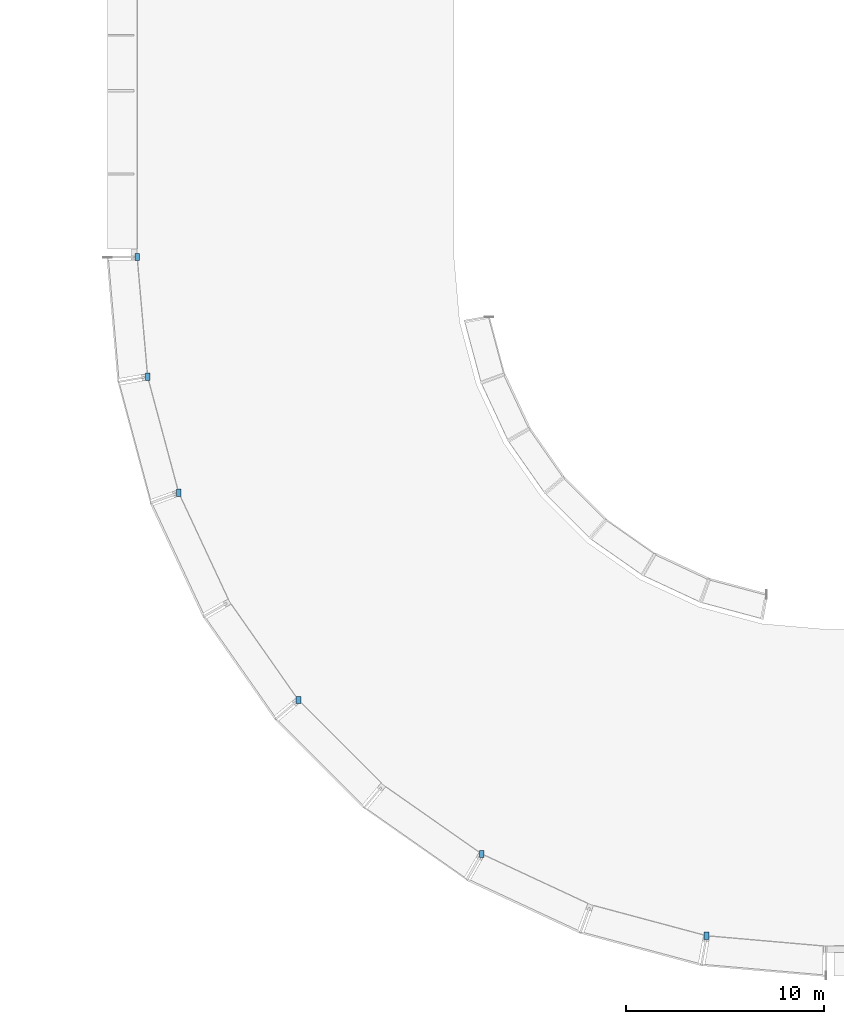
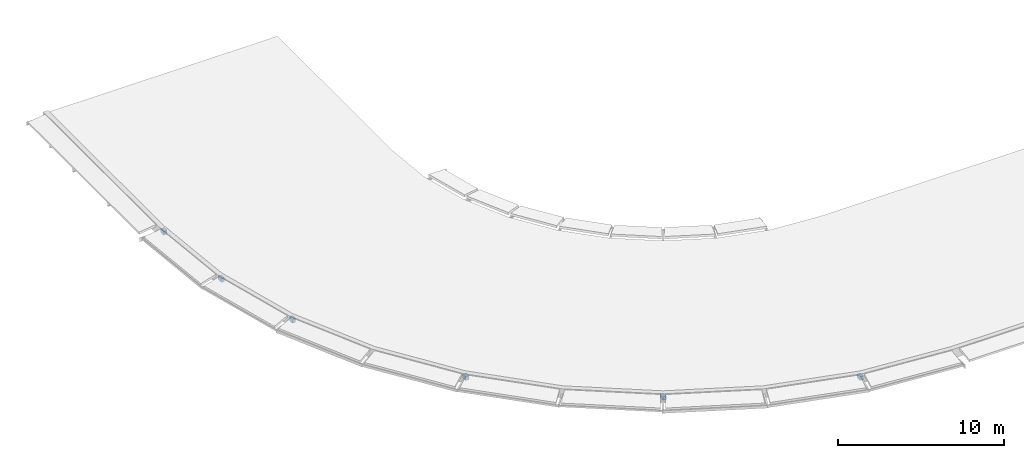
# One storey, part 29 of 41: 6 discrete accessories.
"""IFC4 building model written with IfcOpenShell, lengths in metres."""

from ifc_helpers import new_model, si_unit, direction, frame, origin, origin_2d, place, context, subcontext, project, spatial, rectangle, extrude, material, type_object, element, save


model = new_model("IFC4")

# Units and contexts
model_context = context("Model", 3, precision=1e-05, world=origin(), true_north=direction((0.0, 1.0)))
body_context = subcontext(model_context, "Body", "Model", "MODEL_VIEW")
ifc_project = project(units=[si_unit("LENGTHUNIT", "METRE"), si_unit("AREAUNIT", "SQUARE_METRE"), si_unit("VOLUMEUNIT", "CUBIC_METRE"), si_unit("PLANEANGLEUNIT", "RADIAN"), si_unit("MASSUNIT", "GRAM", prefix="KILO")], contexts=[model_context])

# Site, building, storey
site_placement = place(None, origin())
site = spatial("IfcSite", under=ifc_project, at=site_placement, CompositionType="ELEMENT")
building_placement = place(site_placement, origin())
building = spatial("IfcBuilding", under=site, at=building_placement, Name="Kiranvali Square Residences", CompositionType="ELEMENT")
storey_placement = place(building_placement, frame((0.0, 0.0, 33.89990234375)))
storey = spatial("IfcBuildingStorey", under=building, at=storey_placement, Name="L10", CompositionType="ELEMENT", Elevation=33.89990234375)

# Discrete accessories
ifc_material = material(Name="Structural steel E350", Category="steel")
discrete_accessory_type = type_object("IfcDiscreteAccessoryType", Name="ACC-BRACKET-EAVE", PredefinedType="BRACKET", material=ifc_material)
for number, where, z_axis, x_axis, name in (
    (1, (42.156982421875, 13.9287109375, -0.43994140625), (0.0, 0.0, 1.0), (1.0, 0.0, 0.0), "Block C Ottoman eave steel bracket 1"),
    (2, (30.800048828125, 18.062255859375, -0.43994140625), (0.0, 0.0, 1.0), (1.0, 0.0, 0.0), "Block C Ottoman eave steel bracket 3"),
    (3, (21.541748046875, 25.8310546875, -0.43994140625), (0.0, 0.0, 1.0), (1.0, 0.0, 0.0), "Block C Ottoman eave steel bracket 5"),
    (4, (15.498779296875, 36.297607421875, -0.43994140625), (0.0, 0.0, 1.0), (1.0, 0.0, 0.0), "Block C Ottoman eave steel bracket 7"),
    (5, (13.9287109375, 42.156982421875, -0.43994140625), (0.0, 0.0, 1.0), (1.0, 0.0, 0.0), "Block C Ottoman eave steel bracket 8"),
    (6, (13.39990234375, 48.199951171875, -0.43994140625), (0.0, 0.0, 1.0), (1.0, 0.0, 0.0), "Block C Ottoman eave steel bracket 9"),
):
    element("IfcDiscreteAccessory", number, at=place(storey_placement, frame(where, z_axis=z_axis, x_axis=x_axis)), inside=storey, type_object=discrete_accessory_type, Name=name, PredefinedType="BRACKET", context=body_context, shape_type="SweptSolid", body=[
        extrude(rectangle(XDim=0.239990234375, YDim=0.360107421875, at=origin_2d()), origin(), (0.0, 0.0, 1.0), 0.280029296875),
    ])

save(model, "model.ifc")
